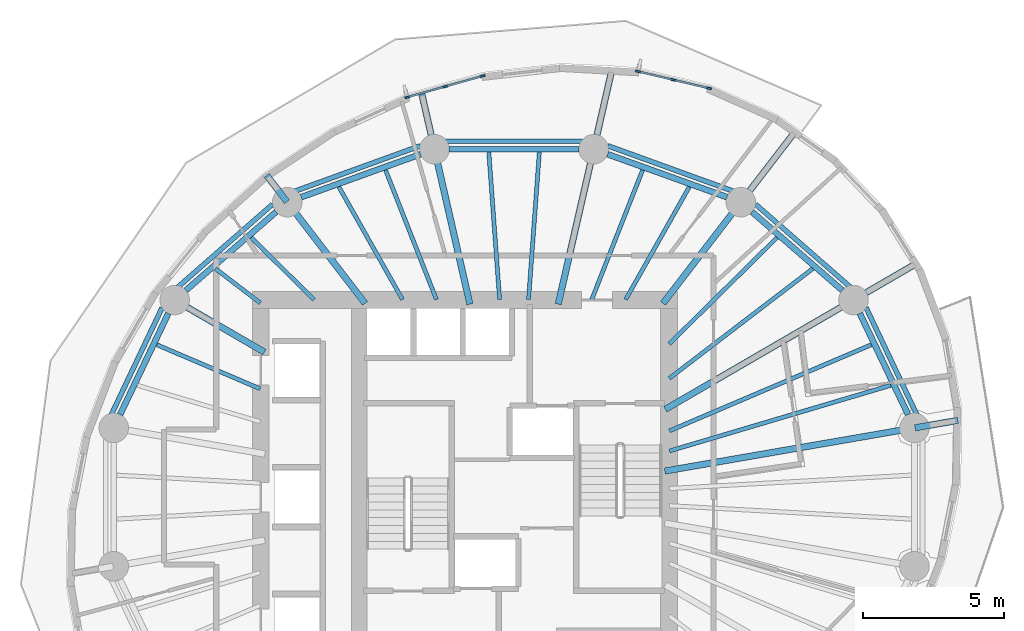
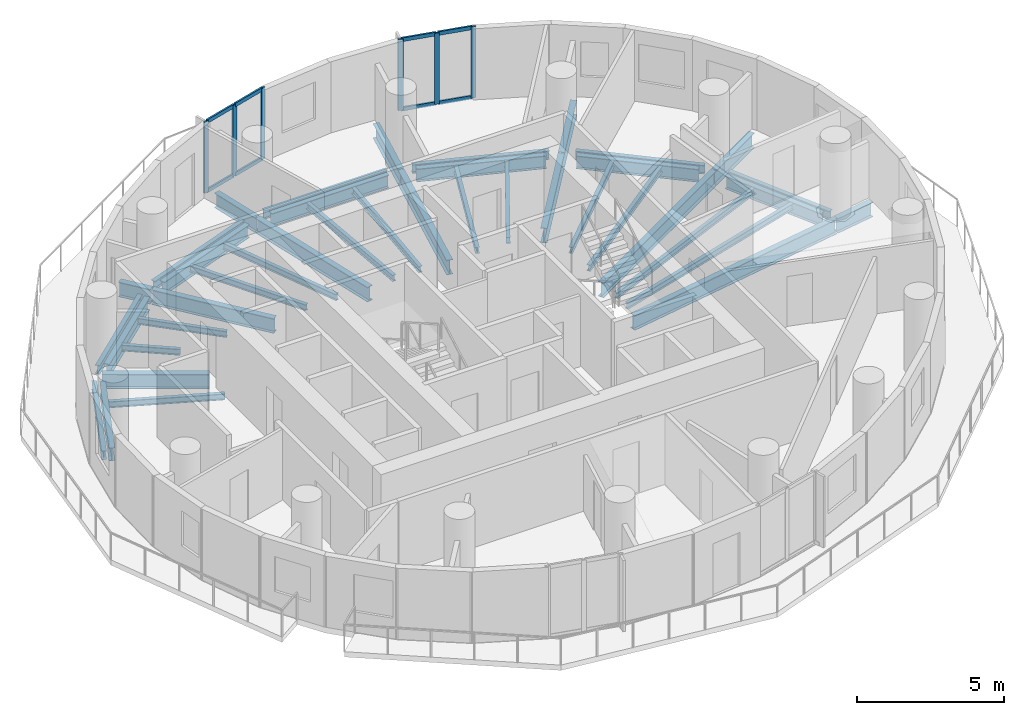
# One storey, part 3 of 13: 40 beams, 14 members, 2 elements without a shape of their own.
"""IFC4 building model written with IfcOpenShell, lengths in metres."""

from ifc_helpers import new_model, si_unit, direction, frame, origin, origin_2d, place, context, subcontext, project, spatial, rectangle, i_section, extrude, material, material_profile, profile_set, type_object, element, aggregate, save


model = new_model("IFC4")

# Units and contexts
model_context = context("Model", 3, precision=1e-05, world=origin(), true_north=direction((0.0, 1.0)))
body_context = subcontext(model_context, "Body", "Model", "MODEL_VIEW")
ifc_project = project(units=[si_unit("LENGTHUNIT", "METRE"), si_unit("AREAUNIT", "SQUARE_METRE"), si_unit("VOLUMEUNIT", "CUBIC_METRE"), si_unit("PLANEANGLEUNIT", "RADIAN"), si_unit("MASSUNIT", "GRAM", prefix="KILO")], contexts=[model_context])

# Site, building, storey
site_placement = place(None, origin())
site = spatial("IfcSite", under=ifc_project, at=site_placement, CompositionType="ELEMENT")
building_placement = place(site_placement, origin())
building = spatial("IfcBuilding", under=site, at=building_placement, Name="Veldorim Arch Residences", CompositionType="ELEMENT")
storey_placement = place(building_placement, frame((0.0, 0.0, 152.159912109375)))
storey = spatial("IfcBuildingStorey", under=building, at=storey_placement, Name="L45", CompositionType="ELEMENT", Elevation=152.159912109375)

# Beams
ifc_material_1 = material(Name="Steel S355", Category="steel")
ifc_material_profile_1 = material_profile(ifc_material_1, i_section(OverallWidth=0.2099609375, OverallDepth=0.53662109375, WebThickness=0.0107421875, FlangeThickness=0.017333984375, at=origin_2d()), Name="UB533x210x101")
ifc_profile_set_1 = profile_set([ifc_material_profile_1], Name="Steel S355")
beam_type_1 = type_object("IfcBeamType", Name="Structural Steel Beam UB533x210x101", PredefinedType="BEAM", material=ifc_profile_set_1)
beam_1_placement = place(storey_placement, frame((45.99560546875, 26.931884765625, -0.50830078125), z_axis=(-0.43028577851, 0.902692721147, 0.0), x_axis=(-0.902692721147, -0.43028577851, 0.0)))
element("IfcBeam", 1, at=beam_1_placement, inside=storey, type_object=beam_type_1, Name="L45 perimeter ring tie beam 01", PredefinedType="BEAM", context=body_context, shape_type="SweptSolid", body=[
    extrude(i_section(OverallWidth=0.2099609375, OverallDepth=0.53662109375, WebThickness=0.0107421875, FlangeThickness=0.017333984375, at=origin_2d()), origin(), (0.0, 0.0, 1.0), 3.98193359375),
])
beam_2_placement = place(storey_placement, frame((43.659912109375, 31.344482421875, -0.50830078125), z_axis=(-0.754810789581, 0.655942582802, 0.0), x_axis=(-0.655942582802, -0.754810789581, 0.0)))
element("IfcBeam", 2, at=beam_2_placement, inside=storey, type_object=beam_type_1, Name="L45 perimeter ring tie beam 02", PredefinedType="BEAM", context=body_context, shape_type="SweptSolid", body=[
    extrude(i_section(OverallWidth=0.2099609375, OverallDepth=0.53662109375, WebThickness=0.0107421875, FlangeThickness=0.017333984375, at=origin_2d()), origin(), (0.0, 0.0, 1.0), 4.249755859375),
])
beam_3_placement = place(storey_placement, frame((39.561767578125, 34.654296875, -0.50830078125), z_axis=(-0.940899155006, 0.338686846673, 0.0), x_axis=(-0.338686846673, -0.940899155006, 0.0)))
element("IfcBeam", 3, at=beam_3_placement, inside=storey, type_object=beam_type_1, Name="L45 perimeter ring tie beam 03", PredefinedType="BEAM", context=body_context, shape_type="SweptSolid", body=[
    extrude(i_section(OverallWidth=0.2099609375, OverallDepth=0.53662109375, WebThickness=0.0107421875, FlangeThickness=0.017333984375, at=origin_2d()), origin(), (0.0, 0.0, 1.0), 4.50537109375),
])
beam_4_placement = place(storey_placement, frame((34.3037109375, 36.35791015625, -0.50830078125), z_axis=(-1.0, 0.0, 0.0), x_axis=(0.0, -1.0, 0.0)))
element("IfcBeam", 4, at=beam_4_placement, inside=storey, type_object=beam_type_1, Name="L45 perimeter ring tie beam 04", PredefinedType="BEAM", context=body_context, shape_type="SweptSolid", body=[
    extrude(i_section(OverallWidth=0.2099609375, OverallDepth=0.53662109375, WebThickness=0.0107421875, FlangeThickness=0.017333984375, at=origin_2d()), origin(), (0.0, 0.0, 1.0), 4.607421875),
])
beam_5_placement = place(storey_placement, frame((28.67724609375, 36.18017578125, -0.50830078125), z_axis=(-0.940899155006, -0.338686846673, 0.0), x_axis=(0.338686846673, -0.940899155006, 0.0)))
element("IfcBeam", 5, at=beam_5_placement, inside=storey, type_object=beam_type_1, Name="L45 perimeter ring tie beam 05", PredefinedType="BEAM", context=body_context, shape_type="SweptSolid", body=[
    extrude(i_section(OverallWidth=0.2099609375, OverallDepth=0.53662109375, WebThickness=0.0107421875, FlangeThickness=0.017333984375, at=origin_2d()), origin(), (0.0, 0.0, 1.0), 4.50537109375),
])
beam_6_placement = place(storey_placement, frame((23.5478515625, 34.132080078125, -0.50830078125), z_axis=(-0.754810789581, -0.655942582802, 0.0), x_axis=(0.655942582802, -0.754810789581, 0.0)))
element("IfcBeam", 6, at=beam_6_placement, inside=storey, type_object=beam_type_1, Name="L45 perimeter ring tie beam 06", PredefinedType="BEAM", context=body_context, shape_type="SweptSolid", body=[
    extrude(i_section(OverallWidth=0.2099609375, OverallDepth=0.53662109375, WebThickness=0.0107421875, FlangeThickness=0.017333984375, at=origin_2d()), origin(), (0.0, 0.0, 1.0), 4.249755859375),
])
beam_7_placement = place(storey_placement, frame((19.7177734375, 30.5263671875, -0.50830078125), z_axis=(-0.43028577851, -0.902692721147, 0.0), x_axis=(0.902692721147, -0.43028577851, 0.0)))
element("IfcBeam", 7, at=beam_7_placement, inside=storey, type_object=beam_type_1, Name="L45 perimeter ring tie beam 07", PredefinedType="BEAM", context=body_context, shape_type="SweptSolid", body=[
    extrude(i_section(OverallWidth=0.2099609375, OverallDepth=0.53662109375, WebThickness=0.0107421875, FlangeThickness=0.017333984375, at=origin_2d()), origin(), (0.0, 0.0, 1.0), 3.98193359375),
])
ifc_material_2 = material(Name="Steel S355", Category="steel")
ifc_material_profile_2 = material_profile(ifc_material_2, i_section(OverallWidth=0.22900390625, OverallDepth=0.6123046875, WebThickness=0.011962890625, FlangeThickness=0.01953125, at=origin_2d()), Name="UB610x229x125")
ifc_profile_set_2 = profile_set([ifc_material_profile_2], Name="Steel S355")
beam_type_2 = type_object("IfcBeamType", Name="Structural Steel Beam UB610x229x125", PredefinedType="BEAM", material=ifc_profile_set_2)
beam_8_placement = place(storey_placement, frame((37.352294921875, 24.925048828125, -0.5458984375), z_axis=(0.985389398766, 0.170316566427, 0.0), x_axis=(-0.170316566427, 0.985389398766, 0.0)))
element("IfcBeam", 8, at=beam_8_placement, inside=storey, type_object=beam_type_2, Name="L45 radial floor girder 01", PredefinedType="BEAM", context=body_context, shape_type="SweptSolid", body=[
    extrude(i_section(OverallWidth=0.22900390625, OverallDepth=0.6123046875, WebThickness=0.011962890625, FlangeThickness=0.01953125, at=origin_2d()), origin(), (0.0, 0.0, 1.0), 8.98046875),
])
beam_9_placement = place(storey_placement, frame((46.2412109375, 26.46142578125, -0.5458984375), z_axis=(0.985381977132, 0.170359499715, 0.0), x_axis=(-0.170359499715, 0.985381977132, 0.0)))
element("IfcBeam", 9, at=beam_9_placement, inside=storey, type_object=beam_type_2, Name="L45 radial edge cantilever girder 01", PredefinedType="BEAM", context=body_context, shape_type="SweptSolid", body=[
    extrude(i_section(OverallWidth=0.22900390625, OverallDepth=0.6123046875, WebThickness=0.011962890625, FlangeThickness=0.01953125, at=origin_2d()), origin(), (0.0, 0.0, 1.0), 1.553466796875),
])
beam_10_placement = place(storey_placement, frame((37.370361328125, 27.1181640625, -0.5458984375), z_axis=(0.864793381443, 0.502127879542, 0.0), x_axis=(-0.502127879542, 0.864793381443, 0.0)))
element("IfcBeam", 10, at=beam_10_placement, inside=storey, type_object=beam_type_2, Name="L45 radial floor girder 02", PredefinedType="BEAM", context=body_context, shape_type="SweptSolid", body=[
    extrude(i_section(OverallWidth=0.22900390625, OverallDepth=0.6123046875, WebThickness=0.011962890625, FlangeThickness=0.01953125, at=origin_2d()), origin(), (0.0, 0.0, 1.0), 7.71142578125),
])
beam_11_placement = place(storey_placement, frame((44.073486328125, 31.01025390625, -0.5458984375), z_axis=(0.86478894661, 0.502135517387, 0.0), x_axis=(-0.502135517387, 0.86478894661, 0.0)))
element("IfcBeam", 11, at=beam_11_placement, inside=storey, type_object=beam_type_2, Name="L45 radial edge cantilever girder 02", PredefinedType="BEAM", context=body_context, shape_type="SweptSolid", body=[
    extrude(i_section(OverallWidth=0.22900390625, OverallDepth=0.6123046875, WebThickness=0.011962890625, FlangeThickness=0.01953125, at=origin_2d()), origin(), (0.0, 0.0, 1.0), 2.564208984375),
])
beam_12_placement = place(storey_placement, frame((37.291259765625, 30.881103515625, -0.5458984375), z_axis=(0.609559199361, 0.792740551804, 0.0), x_axis=(-0.792740551804, 0.609559199361, 0.0)))
element("IfcBeam", 12, at=beam_12_placement, inside=storey, type_object=beam_type_2, Name="L45 radial floor girder 03", PredefinedType="BEAM", context=body_context, shape_type="SweptSolid", body=[
    extrude(i_section(OverallWidth=0.22900390625, OverallDepth=0.6123046875, WebThickness=0.011962890625, FlangeThickness=0.01953125, at=origin_2d()), origin(), (0.0, 0.0, 1.0), 4.515380859375),
])
beam_13_placement = place(storey_placement, frame((40.068115234375, 34.492431640625, -0.5458984375), z_axis=(0.609575446364, 0.792728058789, 0.0), x_axis=(-0.792728058789, 0.609575446364, 0.0)))
element("IfcBeam", 13, at=beam_13_placement, inside=storey, type_object=beam_type_2, Name="L45 radial edge cantilever girder 03", PredefinedType="BEAM", context=body_context, shape_type="SweptSolid", body=[
    extrude(i_section(OverallWidth=0.22900390625, OverallDepth=0.6123046875, WebThickness=0.011962890625, FlangeThickness=0.01953125, at=origin_2d()), origin(), (0.0, 0.0, 1.0), 3.13916015625),
])
beam_14_placement = place(storey_placement, frame((33.56884765625, 30.853759765625, -0.5458984375), z_axis=(0.223119342184, 0.974791136164, 0.0), x_axis=(-0.974791136164, 0.223119342184, 0.0)))
element("IfcBeam", 14, at=beam_14_placement, inside=storey, type_object=beam_type_2, Name="L45 radial floor girder 04", PredefinedType="BEAM", context=body_context, shape_type="SweptSolid", body=[
    extrude(i_section(OverallWidth=0.22900390625, OverallDepth=0.6123046875, WebThickness=0.011962890625, FlangeThickness=0.01953125, at=origin_2d()), origin(), (0.0, 0.0, 1.0), 5.62646484375),
])
beam_15_placement = place(storey_placement, frame((34.833251953125, 36.37744140625, -0.5458984375), z_axis=(0.223165160946, 0.974780647602, 0.0), x_axis=(-0.974780647602, 0.223165160946, 0.0)))
element("IfcBeam", 15, at=beam_15_placement, inside=storey, type_object=beam_type_2, Name="L45 radial edge cantilever girder 04", PredefinedType="BEAM", context=body_context, shape_type="SweptSolid", body=[
    extrude(i_section(OverallWidth=0.22900390625, OverallDepth=0.6123046875, WebThickness=0.011962890625, FlangeThickness=0.01953125, at=origin_2d()), origin(), (0.0, 0.0, 1.0), 2.863037109375),
])
beam_16_placement = place(storey_placement, frame((30.43115234375, 30.853759765625, -0.5458984375), z_axis=(-0.223119342184, 0.974791136164, 0.0), x_axis=(-0.974791136164, -0.223119342184, 0.0)))
element("IfcBeam", 16, at=beam_16_placement, inside=storey, type_object=beam_type_2, Name="L45 radial floor girder 05", PredefinedType="BEAM", context=body_context, shape_type="SweptSolid", body=[
    extrude(i_section(OverallWidth=0.22900390625, OverallDepth=0.6123046875, WebThickness=0.011962890625, FlangeThickness=0.01953125, at=origin_2d()), origin(), (0.0, 0.0, 1.0), 5.62646484375),
])
beam_17_placement = place(storey_placement, frame((29.166748046875, 36.37744140625, -0.5458984375), z_axis=(-0.223121447398, 0.9747906543, 0.0), x_axis=(-0.9747906543, -0.223121447398, 0.0)))
element("IfcBeam", 17, at=beam_17_placement, inside=storey, type_object=beam_type_2, Name="L45 radial edge cantilever girder 05", PredefinedType="BEAM", context=body_context, shape_type="SweptSolid", body=[
    extrude(i_section(OverallWidth=0.22900390625, OverallDepth=0.6123046875, WebThickness=0.011962890625, FlangeThickness=0.01953125, at=origin_2d()), origin(), (0.0, 0.0, 1.0), 2.01123046875),
])
beam_18_placement = place(storey_placement, frame((26.708740234375, 30.881103515625, -0.5458984375), z_axis=(-0.609559199361, 0.792740551804, 0.0), x_axis=(-0.792740551804, -0.609559199361, 0.0)))
element("IfcBeam", 18, at=beam_18_placement, inside=storey, type_object=beam_type_2, Name="L45 radial floor girder 06", PredefinedType="BEAM", context=body_context, shape_type="SweptSolid", body=[
    extrude(i_section(OverallWidth=0.22900390625, OverallDepth=0.6123046875, WebThickness=0.011962890625, FlangeThickness=0.01953125, at=origin_2d()), origin(), (0.0, 0.0, 1.0), 4.515380859375),
])
beam_19_placement = place(storey_placement, frame((23.931884765625, 34.492431640625, -0.5458984375), z_axis=(-0.609460700879, 0.792816280158, 0.0), x_axis=(-0.792816280158, -0.609460700879, 0.0)))
element("IfcBeam", 19, at=beam_19_placement, inside=storey, type_object=beam_type_2, Name="L45 radial edge cantilever girder 06", PredefinedType="BEAM", context=body_context, shape_type="SweptSolid", body=[
    extrude(i_section(OverallWidth=0.22900390625, OverallDepth=0.6123046875, WebThickness=0.011962890625, FlangeThickness=0.01953125, at=origin_2d()), origin(), (0.0, 0.0, 1.0), 1.1796875),
])
beam_20_placement = place(storey_placement, frame((23.129638671875, 29.150390625, -0.5458984375), z_axis=(-0.864794546612, 0.502125872815, 0.0), x_axis=(-0.502125872815, -0.864794546612, 0.0)))
element("IfcBeam", 20, at=beam_20_placement, inside=storey, type_object=beam_type_2, Name="L45 radial floor girder 07", PredefinedType="BEAM", context=body_context, shape_type="SweptSolid", body=[
    extrude(i_section(OverallWidth=0.22900390625, OverallDepth=0.6123046875, WebThickness=0.011962890625, FlangeThickness=0.01953125, at=origin_2d()), origin(), (0.0, 0.0, 1.0), 3.6640625),
])
ifc_material_3 = material(Name="Steel S355", Category="steel")
ifc_material_profile_3 = material_profile(ifc_material_3, i_section(OverallWidth=0.146484375, OverallDepth=0.256103515625, WebThickness=0.00634765625, FlangeThickness=0.010986328125, at=origin_2d()), Name="UB254x146x37")
ifc_profile_set_3 = profile_set([ifc_material_profile_3], Name="Steel S355")
beam_type_3 = type_object("IfcBeamType", Name="Structural Steel Joist UB254x146x37", PredefinedType="JOIST", material=ifc_profile_set_3)
beam_21_placement = place(storey_placement, frame((37.519287109375, 25.63818359375, -0.367919921875), z_axis=(0.958674276305, 0.284505943614, 0.0), x_axis=(-0.284505943614, 0.958674276305, 0.0)))
element("IfcBeam", 21, at=beam_21_placement, inside=storey, type_object=beam_type_3, Name="L45 secondary radial floor joist 01-1", PredefinedType="JOIST", context=body_context, shape_type="SweptSolid", body=[
    extrude(i_section(OverallWidth=0.146484375, OverallDepth=0.256103515625, WebThickness=0.00634765625, FlangeThickness=0.010986328125, at=origin_2d()), origin(), (0.0, 0.0, 1.0), 8.2001953125),
])
beam_22_placement = place(storey_placement, frame((37.518310546875, 26.353515625, -0.367919921875), z_axis=(0.919831795434, 0.39231297214, 0.0), x_axis=(-0.39231297214, 0.919831795434, 0.0)))
element("IfcBeam", 22, at=beam_22_placement, inside=storey, type_object=beam_type_3, Name="L45 secondary radial floor joist 01-2", PredefinedType="JOIST", context=body_context, shape_type="SweptSolid", body=[
    extrude(i_section(OverallWidth=0.146484375, OverallDepth=0.256103515625, WebThickness=0.00634765625, FlangeThickness=0.010986328125, at=origin_2d()), origin(), (0.0, 0.0, 1.0), 7.798828125),
])
beam_23_placement = place(storey_placement, frame((37.515869140625, 28.219482421875, -0.367919921875), z_axis=(0.794267053144, 0.607568801281, 0.0), x_axis=(-0.607568801281, 0.794267053144, 0.0)))
element("IfcBeam", 23, at=beam_23_placement, inside=storey, type_object=beam_type_3, Name="L45 secondary radial floor joist 02-1", PredefinedType="JOIST", context=body_context, shape_type="SweptSolid", body=[
    extrude(i_section(OverallWidth=0.146484375, OverallDepth=0.256103515625, WebThickness=0.00634765625, FlangeThickness=0.010986328125, at=origin_2d()), origin(), (0.0, 0.0, 1.0), 6.412841796875),
])
beam_24_placement = place(storey_placement, frame((37.51416015625, 29.443115234375, -0.367919921875), z_axis=(0.711703457158, 0.702480027523, 0.0), x_axis=(-0.702480027523, 0.711703457158, 0.0)))
element("IfcBeam", 24, at=beam_24_placement, inside=storey, type_object=beam_type_3, Name="L45 secondary radial floor joist 02-2", PredefinedType="JOIST", context=body_context, shape_type="SweptSolid", body=[
    extrude(i_section(OverallWidth=0.146484375, OverallDepth=0.256103515625, WebThickness=0.00634765625, FlangeThickness=0.010986328125, at=origin_2d()), origin(), (0.0, 0.0, 1.0), 5.373291015625),
])
beam_25_placement = place(storey_placement, frame((35.96337890625, 31.017333984375, -0.367919921875), z_axis=(0.491815801586, 0.870699269157, 0.0), x_axis=(-0.870699269157, 0.491815801586, 0.0)))
element("IfcBeam", 25, at=beam_25_placement, inside=storey, type_object=beam_type_3, Name="L45 secondary radial floor joist 03-1", PredefinedType="JOIST", context=body_context, shape_type="SweptSolid", body=[
    extrude(i_section(OverallWidth=0.146484375, OverallDepth=0.256103515625, WebThickness=0.00634765625, FlangeThickness=0.010986328125, at=origin_2d()), origin(), (0.0, 0.0, 1.0), 4.59814453125),
])
beam_26_placement = place(storey_placement, frame((34.7587890625, 31.0185546875, -0.367919921875), z_axis=(0.365777738491, 0.930702232739, 0.0), x_axis=(-0.930702232739, 0.365777738491, 0.0)))
element("IfcBeam", 26, at=beam_26_placement, inside=storey, type_object=beam_type_3, Name="L45 secondary radial floor joist 03-2", PredefinedType="JOIST", context=body_context, shape_type="SweptSolid", body=[
    extrude(i_section(OverallWidth=0.146484375, OverallDepth=0.256103515625, WebThickness=0.00634765625, FlangeThickness=0.010986328125, at=origin_2d()), origin(), (0.0, 0.0, 1.0), 4.9404296875),
])
for number, where, z_axis, x_axis, name in (
    (27, (32.51416015625, 31.02001953125, -0.367919921875), (0.073060364166, 0.997327520521, 0.0), (-0.997327520521, 0.073060364166, 0.0), "L45 secondary radial floor joist 04-1"),
    (28, (31.48583984375, 31.02001953125, -0.367919921875), (-0.073060364166, 0.997327520521, 0.0), (-0.997327520521, -0.073060364166, 0.0), "L45 secondary radial floor joist 04-2"),
):
    element("IfcBeam", number, at=place(storey_placement, frame(where, z_axis=z_axis, x_axis=x_axis)), inside=storey, type_object=beam_type_3, Name=name, PredefinedType="JOIST", context=body_context, shape_type="SweptSolid", body=[
        extrude(i_section(OverallWidth=0.146484375, OverallDepth=0.256103515625, WebThickness=0.00634765625, FlangeThickness=0.010986328125, at=origin_2d()), origin(), (0.0, 0.0, 1.0), 5.242919921875),
    ])
beam_27_placement = place(storey_placement, frame((29.2412109375, 31.0185546875, -0.367919921875), z_axis=(-0.365777738491, 0.930702232739, 0.0), x_axis=(-0.930702232739, -0.365777738491, 0.0)))
element("IfcBeam", 29, at=beam_27_placement, inside=storey, type_object=beam_type_3, Name="L45 secondary radial floor joist 05-1", PredefinedType="JOIST", context=body_context, shape_type="SweptSolid", body=[
    extrude(i_section(OverallWidth=0.146484375, OverallDepth=0.256103515625, WebThickness=0.00634765625, FlangeThickness=0.010986328125, at=origin_2d()), origin(), (0.0, 0.0, 1.0), 4.9404296875),
])
beam_28_placement = place(storey_placement, frame((28.03662109375, 31.017333984375, -0.367919921875), z_axis=(-0.491815801586, 0.870699269157, 0.0), x_axis=(-0.870699269157, -0.491815801586, 0.0)))
element("IfcBeam", 30, at=beam_28_placement, inside=storey, type_object=beam_type_3, Name="L45 secondary radial floor joist 05-2", PredefinedType="JOIST", context=body_context, shape_type="SweptSolid", body=[
    extrude(i_section(OverallWidth=0.146484375, OverallDepth=0.256103515625, WebThickness=0.00634765625, FlangeThickness=0.010986328125, at=origin_2d()), origin(), (0.0, 0.0, 1.0), 4.59814453125),
])
beam_29_placement = place(storey_placement, frame((24.894287109375, 31.013916015625, -0.367919921875), z_axis=(-0.711683379532, 0.702500368183, 0.0), x_axis=(-0.702500368183, -0.711683379532, 0.0)))
element("IfcBeam", 31, at=beam_29_placement, inside=storey, type_object=beam_type_3, Name="L45 secondary radial floor joist 06-1", PredefinedType="JOIST", context=body_context, shape_type="SweptSolid", body=[
    extrude(i_section(OverallWidth=0.146484375, OverallDepth=0.256103515625, WebThickness=0.00634765625, FlangeThickness=0.010986328125, at=origin_2d()), origin(), (0.0, 0.0, 1.0), 3.13720703125),
])
beam_30_placement = place(storey_placement, frame((22.984130859375, 30.89697265625, -0.367919921875), z_axis=(-0.794312925337, 0.607508828448, 0.0), x_axis=(-0.607508828448, -0.794312925337, 0.0)))
element("IfcBeam", 32, at=beam_30_placement, inside=storey, type_object=beam_type_3, Name="L45 secondary radial floor joist 06-2", PredefinedType="JOIST", context=body_context, shape_type="SweptSolid", body=[
    extrude(i_section(OverallWidth=0.146484375, OverallDepth=0.256103515625, WebThickness=0.00634765625, FlangeThickness=0.010986328125, at=origin_2d()), origin(), (0.0, 0.0, 1.0), 2.006103515625),
])
beam_31_placement = place(storey_placement, frame((22.981689453125, 27.84619140625, -0.367919921875), z_axis=(-0.919823469329, 0.392332493265, 0.0), x_axis=(-0.392332493265, -0.919823469329, 0.0)))
element("IfcBeam", 33, at=beam_31_placement, inside=storey, type_object=beam_type_3, Name="L45 secondary radial floor joist 07-1", PredefinedType="JOIST", context=body_context, shape_type="SweptSolid", body=[
    extrude(i_section(OverallWidth=0.146484375, OverallDepth=0.256103515625, WebThickness=0.00634765625, FlangeThickness=0.010986328125, at=origin_2d()), origin(), (0.0, 0.0, 1.0), 3.993896484375),
])
ifc_material_4 = material(Name="Steel S355", Category="steel")
ifc_material_profile_4 = material_profile(ifc_material_4, i_section(OverallWidth=0.172119140625, OverallDepth=0.35791015625, WebThickness=0.008056640625, FlangeThickness=0.012939453125, at=origin_2d()), Name="UB356x171x57")
ifc_profile_set_4 = profile_set([ifc_material_profile_4], Name="Steel S355")
beam_type_4 = type_object("IfcBeamType", Name="Structural Steel Spandrel UB356x171x57", PredefinedType="SPANDREL", material=ifc_profile_set_4)
beam_32_placement = place(storey_placement, frame((46.307861328125, 26.9248046875, -0.43896484375), z_axis=(-0.428579957662, 0.903503857153, 0.0), x_axis=(-0.903503857153, -0.428579957662, 0.0)))
element("IfcBeam", 34, at=beam_32_placement, inside=storey, type_object=beam_type_4, Name="L45 perimeter chord spandrel beam 01", PredefinedType="SPANDREL", context=body_context, shape_type="SweptSolid", body=[
    extrude(i_section(OverallWidth=0.172119140625, OverallDepth=0.35791015625, WebThickness=0.008056640625, FlangeThickness=0.012939453125, at=origin_2d()), origin(), (0.0, 0.0, 1.0), 4.209228515625),
])
beam_33_placement = place(storey_placement, frame((43.9580078125, 31.44921875, -0.43896484375), z_axis=(-0.753014748982, 0.658003638148, 0.0), x_axis=(-0.658003638148, -0.753014748982, 0.0)))
element("IfcBeam", 35, at=beam_33_placement, inside=storey, type_object=beam_type_4, Name="L45 perimeter chord spandrel beam 02", PredefinedType="SPANDREL", context=body_context, shape_type="SweptSolid", body=[
    extrude(i_section(OverallWidth=0.172119140625, OverallDepth=0.35791015625, WebThickness=0.008056640625, FlangeThickness=0.012939453125, at=origin_2d()), origin(), (0.0, 0.0, 1.0), 4.486572265625),
])
beam_34_placement = place(storey_placement, frame((39.79736328125, 34.86279296875, -0.43896484375), z_axis=(-0.940212553113, 0.340588248429, 0.0), x_axis=(-0.340588248429, -0.940212553113, 0.0)))
element("IfcBeam", 36, at=beam_34_placement, inside=storey, type_object=beam_type_4, Name="L45 perimeter chord spandrel beam 03", PredefinedType="SPANDREL", context=body_context, shape_type="SweptSolid", body=[
    extrude(i_section(OverallWidth=0.172119140625, OverallDepth=0.35791015625, WebThickness=0.008056640625, FlangeThickness=0.012939453125, at=origin_2d()), origin(), (0.0, 0.0, 1.0), 4.75390625),
])
beam_35_placement = place(storey_placement, frame((34.43115234375, 36.639404296875, -0.43896484375), z_axis=(-1.0, 0.0, 0.0), x_axis=(0.0, -1.0, 0.0)))
element("IfcBeam", 37, at=beam_35_placement, inside=storey, type_object=beam_type_4, Name="L45 perimeter chord spandrel beam 04", PredefinedType="SPANDREL", context=body_context, shape_type="SweptSolid", body=[
    extrude(i_section(OverallWidth=0.172119140625, OverallDepth=0.35791015625, WebThickness=0.008056640625, FlangeThickness=0.012939453125, at=origin_2d()), origin(), (0.0, 0.0, 1.0), 4.8623046875),
])
beam_36_placement = place(storey_placement, frame((28.67236328125, 36.48193359375, -0.43896484375), z_axis=(-0.940212553113, -0.340588248429, 0.0), x_axis=(0.340588248429, -0.940212553113, 0.0)))
element("IfcBeam", 38, at=beam_36_placement, inside=storey, type_object=beam_type_4, Name="L45 perimeter chord spandrel beam 05", PredefinedType="SPANDREL", context=body_context, shape_type="SweptSolid", body=[
    extrude(i_section(OverallWidth=0.172119140625, OverallDepth=0.35791015625, WebThickness=0.008056640625, FlangeThickness=0.012939453125, at=origin_2d()), origin(), (0.0, 0.0, 1.0), 4.75390625),
])
beam_37_placement = place(storey_placement, frame((23.42041015625, 34.4013671875, -0.43896484375), z_axis=(-0.753014748982, -0.658003638148, 0.0), x_axis=(0.658003638148, -0.753014748982, 0.0)))
element("IfcBeam", 39, at=beam_37_placement, inside=storey, type_object=beam_type_4, Name="L45 perimeter chord spandrel beam 06", PredefinedType="SPANDREL", context=body_context, shape_type="SweptSolid", body=[
    extrude(i_section(OverallWidth=0.172119140625, OverallDepth=0.35791015625, WebThickness=0.008056640625, FlangeThickness=0.012939453125, at=origin_2d()), origin(), (0.0, 0.0, 1.0), 4.486572265625),
])
beam_38_placement = place(storey_placement, frame((19.49609375, 30.727783203125, -0.43896484375), z_axis=(-0.428579957662, -0.903503857153, 0.0), x_axis=(0.903503857153, -0.428579957662, 0.0)))
element("IfcBeam", 40, at=beam_38_placement, inside=storey, type_object=beam_type_4, Name="L45 perimeter chord spandrel beam 07", PredefinedType="SPANDREL", context=body_context, shape_type="SweptSolid", body=[
    extrude(i_section(OverallWidth=0.172119140625, OverallDepth=0.35791015625, WebThickness=0.008056640625, FlangeThickness=0.012939453125, at=origin_2d()), origin(), (0.0, 0.0, 1.0), 4.209228515625),
])

# Curtain wall, members
ifc_material_5 = material(Name="Aluminium", Category="aluminium")
curtain_wall_type = type_object("IfcCurtainWallType", Name="Zone 3 High-Wind Unitised Curtain Wall", PredefinedType="NOTDEFINED", material=ifc_material_5)
curtain_wall_1_placement = place(storey_placement, origin())
curtain_wall_1 = element("IfcCurtainWall", 41, at=curtain_wall_1_placement, inside=storey, type_object=curtain_wall_type, Name="L45 unitised curtain wall bay 04", PredefinedType="NOTDEFINED")
ifc_material_6 = material(Name="Aluminium", Category="aluminium")
ifc_material_profile_5 = material_profile(ifc_material_6, rectangle(XDim=0.070068359375, YDim=0.179931640625, at=origin_2d()), Name="ALU_MUL_70x180")
ifc_profile_set_5 = profile_set([ifc_material_profile_5], Name="Aluminium")
member_type_1 = type_object("IfcMemberType", Name="Zone 3 High-Wind Unitised Curtain Wall Mullion 70x180", PredefinedType="MULLION", material=ifc_profile_set_5)
member_1_placement = place(storey_placement, frame((36.4013671875, 39.119873046875, 0.0), z_axis=(0.0, 0.0, 1.0), x_axis=(0.230956858022, 0.972963992002, 0.0)))
member_1 = element("IfcMember", 42, at=member_1_placement, type_object=member_type_1, Name="CW-Z3 mullion 1", PredefinedType="MULLION", context=body_context, shape_type="SweptSolid", body=[
    extrude(rectangle(XDim=0.070068359375, YDim=0.179931640625, at=origin_2d()), origin(), (0.0, 0.0, 1.0), 2.960205078125),
])
member_2_placement = place(storey_placement, frame((37.662109375, 38.820556640625, 0.0), z_axis=(0.0, 0.0, 1.0), x_axis=(0.230956858022, 0.972963992002, 0.0)))
member_2 = element("IfcMember", 43, at=member_2_placement, type_object=member_type_1, Name="CW-Z3 mullion 2", PredefinedType="MULLION", context=body_context, shape_type="SweptSolid", body=[
    extrude(rectangle(XDim=0.070068359375, YDim=0.179931640625, at=origin_2d()), origin(), (0.0, 0.0, 1.0), 2.960205078125),
])
member_3_placement = place(storey_placement, frame((38.923095703125, 38.521240234375, 0.0), z_axis=(0.0, 0.0, 1.0), x_axis=(0.230956858022, 0.972963992002, 0.0)))
member_3 = element("IfcMember", 44, at=member_3_placement, type_object=member_type_1, Name="CW-Z3 mullion 3", PredefinedType="MULLION", context=body_context, shape_type="SweptSolid", body=[
    extrude(rectangle(XDim=0.070068359375, YDim=0.179931640625, at=origin_2d()), origin(), (0.0, 0.0, 1.0), 2.960205078125),
])

curtain_wall_2_placement = place(storey_placement, origin())
curtain_wall_2 = element("IfcCurtainWall", 45, at=curtain_wall_2_placement, inside=storey, type_object=curtain_wall_type, Name="L45 unitised curtain wall bay 07", PredefinedType="NOTDEFINED")
member_4_placement = place(storey_placement, frame((28.20849609375, 38.204833984375, 0.0), z_axis=(0.0, 0.0, 1.0), x_axis=(-0.271100567037, 0.962551028545, 0.0)))
member_4 = element("IfcMember", 46, at=member_4_placement, type_object=member_type_1, Name="CW-Z3 mullion 1", PredefinedType="MULLION", context=body_context, shape_type="SweptSolid", body=[
    extrude(rectangle(XDim=0.070068359375, YDim=0.179931640625, at=origin_2d()), origin(), (0.0, 0.0, 1.0), 2.960205078125),
])
member_5_placement = place(storey_placement, frame((29.544921875, 38.581298828125, 0.0), z_axis=(0.0, 0.0, 1.0), x_axis=(-0.271100567037, 0.962551028545, 0.0)))
member_5 = element("IfcMember", 47, at=member_5_placement, type_object=member_type_1, Name="CW-Z3 mullion 2", PredefinedType="MULLION", context=body_context, shape_type="SweptSolid", body=[
    extrude(rectangle(XDim=0.070068359375, YDim=0.179931640625, at=origin_2d()), origin(), (0.0, 0.0, 1.0), 2.960205078125),
])
member_6_placement = place(storey_placement, frame((30.88134765625, 38.95751953125, 0.0), z_axis=(0.0, 0.0, 1.0), x_axis=(-0.271100567037, 0.962551028545, 0.0)))
member_6 = element("IfcMember", 48, at=member_6_placement, type_object=member_type_1, Name="CW-Z3 mullion 3", PredefinedType="MULLION", context=body_context, shape_type="SweptSolid", body=[
    extrude(rectangle(XDim=0.070068359375, YDim=0.179931640625, at=origin_2d()), origin(), (0.0, 0.0, 1.0), 2.960205078125),
])

# Member
ifc_material_7 = material(Name="Aluminium", Category="aluminium")
ifc_material_profile_6 = material_profile(ifc_material_7, rectangle(XDim=0.070068359375, YDim=0.155029296875, at=origin_2d()), Name="ALU_TRN_70x155")
ifc_profile_set_6 = profile_set([ifc_material_profile_6], Name="Aluminium")
member_type_2 = type_object("IfcMemberType", Name="Zone 3 High-Wind Unitised Curtain Wall Transom 70x155", PredefinedType="USERDEFINED", material=ifc_profile_set_6)
member_7_placement = place(storey_placement, frame((36.435302734375, 39.11181640625, 0.03515625), z_axis=(0.972955574019, -0.230992318023, 0.0), x_axis=(0.230992318023, 0.972955574019, 0.0)))
member_7 = element("IfcMember", 49, at=member_7_placement, type_object=member_type_2, Name="CW-Z3 transom 1.1", ObjectType="TRANSOM", PredefinedType="USERDEFINED", context=body_context, shape_type="SweptSolid", body=[
    extrude(rectangle(XDim=0.070068359375, YDim=0.155029296875, at=origin_2d()), origin(), (0.0, 0.0, 1.0), 1.22607421875),
])

member_8_placement = place(storey_placement, frame((36.435302734375, 39.11181640625, 2.925048828125), z_axis=(0.972955574019, -0.230992318023, 0.0), x_axis=(0.230992318023, 0.972955574019, 0.0)))
member_8 = element("IfcMember", 50, at=member_8_placement, type_object=member_type_2, Name="CW-Z3 transom 1.2", ObjectType="TRANSOM", PredefinedType="USERDEFINED", context=body_context, shape_type="SweptSolid", body=[
    extrude(rectangle(XDim=0.070068359375, YDim=0.155029296875, at=origin_2d()), origin(), (0.0, 0.0, 1.0), 1.22607421875),
])

member_9_placement = place(storey_placement, frame((37.6962890625, 38.8125, 0.03515625), z_axis=(0.972955574019, -0.230992318023, 0.0), x_axis=(0.230992318023, 0.972955574019, 0.0)))
member_9 = element("IfcMember", 51, at=member_9_placement, type_object=member_type_2, Name="CW-Z3 transom 2.1", ObjectType="TRANSOM", PredefinedType="USERDEFINED", context=body_context, shape_type="SweptSolid", body=[
    extrude(rectangle(XDim=0.070068359375, YDim=0.155029296875, at=origin_2d()), origin(), (0.0, 0.0, 1.0), 1.22607421875),
])

member_10_placement = place(storey_placement, frame((37.6962890625, 38.8125, 2.925048828125), z_axis=(0.972955574019, -0.230992318023, 0.0), x_axis=(0.230992318023, 0.972955574019, 0.0)))
member_10 = element("IfcMember", 52, at=member_10_placement, type_object=member_type_2, Name="CW-Z3 transom 2.2", ObjectType="TRANSOM", PredefinedType="USERDEFINED", context=body_context, shape_type="SweptSolid", body=[
    extrude(rectangle(XDim=0.070068359375, YDim=0.155029296875, at=origin_2d()), origin(), (0.0, 0.0, 1.0), 1.22607421875),
])

aggregate(curtain_wall_1, [member_1, member_2, member_3, member_7, member_8, member_9, member_10])

member_11_placement = place(storey_placement, frame((28.2421875, 38.21435546875, 0.03515625), z_axis=(0.962551331846, 0.271099490154, 0.0), x_axis=(-0.271099490154, 0.962551331846, 0.0)))
member_11 = element("IfcMember", 53, at=member_11_placement, type_object=member_type_2, Name="CW-Z3 transom 1.1", ObjectType="TRANSOM", PredefinedType="USERDEFINED", context=body_context, shape_type="SweptSolid", body=[
    extrude(rectangle(XDim=0.070068359375, YDim=0.155029296875, at=origin_2d()), origin(), (0.0, 0.0, 1.0), 1.318359375),
])

member_12_placement = place(storey_placement, frame((28.2421875, 38.21435546875, 2.925048828125), z_axis=(0.962551331846, 0.271099490154, 0.0), x_axis=(-0.271099490154, 0.962551331846, 0.0)))
member_12 = element("IfcMember", 54, at=member_12_placement, type_object=member_type_2, Name="CW-Z3 transom 1.2", ObjectType="TRANSOM", PredefinedType="USERDEFINED", context=body_context, shape_type="SweptSolid", body=[
    extrude(rectangle(XDim=0.070068359375, YDim=0.155029296875, at=origin_2d()), origin(), (0.0, 0.0, 1.0), 1.318359375),
])

member_13_placement = place(storey_placement, frame((29.57861328125, 38.590576171875, 0.03515625), z_axis=(0.962502997504, 0.271271044891, 0.0), x_axis=(-0.271271044891, 0.962502997504, 0.0)))
member_13 = element("IfcMember", 55, at=member_13_placement, type_object=member_type_2, Name="CW-Z3 transom 2.1", ObjectType="TRANSOM", PredefinedType="USERDEFINED", context=body_context, shape_type="SweptSolid", body=[
    extrude(rectangle(XDim=0.070068359375, YDim=0.155029296875, at=origin_2d()), origin(), (0.0, 0.0, 1.0), 1.318603515625),
])

member_14_placement = place(storey_placement, frame((29.57861328125, 38.590576171875, 2.925048828125), z_axis=(0.962502997504, 0.271271044891, 0.0), x_axis=(-0.271271044891, 0.962502997504, 0.0)))
member_14 = element("IfcMember", 56, at=member_14_placement, type_object=member_type_2, Name="CW-Z3 transom 2.2", ObjectType="TRANSOM", PredefinedType="USERDEFINED", context=body_context, shape_type="SweptSolid", body=[
    extrude(rectangle(XDim=0.070068359375, YDim=0.155029296875, at=origin_2d()), origin(), (0.0, 0.0, 1.0), 1.318603515625),
])

aggregate(curtain_wall_2, [member_4, member_5, member_6, member_11, member_12, member_13, member_14])

save(model, "model.ifc")
